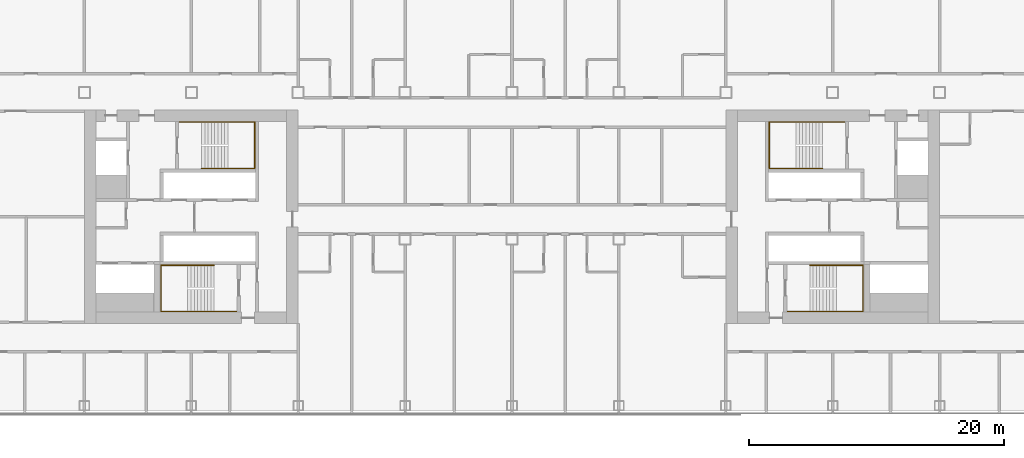
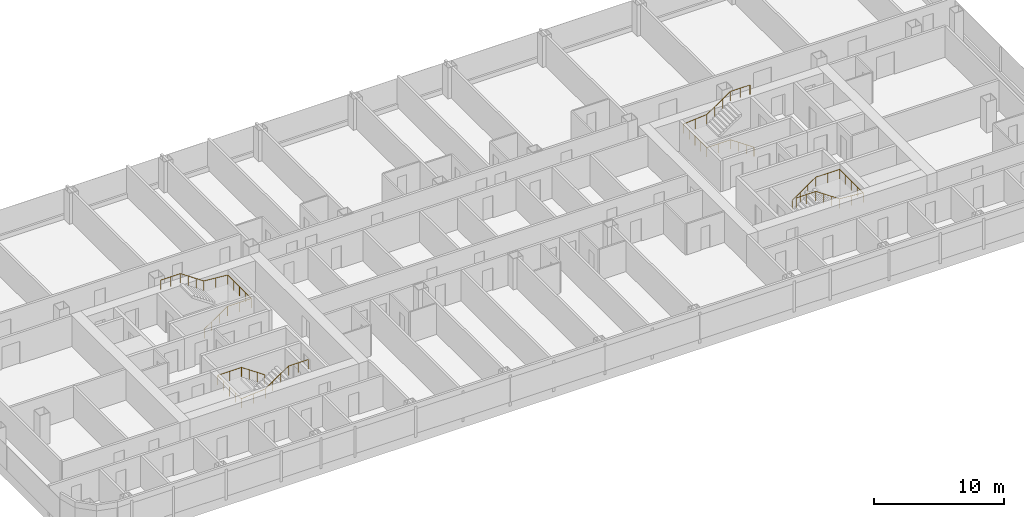
# One storey, part 29 of 29: 4 railings.
"""IFC4 building model written with IfcOpenShell, lengths in metres."""

import ifcopenshell
import ifcopenshell.guid

model = None  # the IFC model being written
_history = None  # IfcOwnerHistory: only IFC2X3 demands one
_inside = {}  # id of a spatial element -> (the spatial element, [elements in it])
_under = {}  # id of a project, library or spatial element -> (it, [spatial elements below it])
_declared = {}  # id of a project -> (the project, [libraries it declares])
_typed = {}  # id of a type object -> (the type object, [elements of that type])
_made_of = {}  # id of a material, layer set ... -> (it, [elements and type objects made of it])


def new_model(schema):
    """Start an empty IFC model of exactly this schema.

    Asked for "IFC4X3", IfcOpenShell would pick the latest addendum, in which some entities
    have other attributes; the version numbers below select the first issue.
    IFC2X3 requires an IfcOwnerHistory on every rooted entity: one is made here for all.
    """
    global model, _history
    if schema == "IFC4X3":
        model = ifcopenshell.file(schema_version=(4, 3, 0, 0))
    else:
        model = ifcopenshell.file(schema=schema)
    _inside.clear()
    _under.clear()
    _declared.clear()
    _typed.clear()
    _made_of.clear()
    _history = None
    if model.schema == "IFC2X3":
        org = make("IfcOrganization", Name="unknown")
        user = make(
            "IfcPersonAndOrganization",
            ThePerson=make("IfcPerson", FamilyName="unknown"),
            TheOrganization=org,
        )
        app = make(
            "IfcApplication",
            ApplicationDeveloper=org,
            Version="unknown",
            ApplicationFullName="unknown",
            ApplicationIdentifier="unknown",
        )
        _history = make(
            "IfcOwnerHistory",
            OwningUser=user,
            OwningApplication=app,
            ChangeAction="ADDED",
            CreationDate=0,
        )
    return model


def make(cls, **values):
    """One entity of the class cls with the attributes given. An attribute that is None is left unset."""
    return model.create_entity(
        cls, **{name: value for name, value in values.items() if value is not None}
    )


def rooted(cls, **values):
    """An entity with a GlobalId (a new one), such as an element, a storey or a relation."""
    return make(cls, GlobalId=ifcopenshell.guid.new(), OwnerHistory=_history, **values)


def si_unit(unit_type, name, prefix=None):
    """IfcSIUnit, for example si_unit("LENGTHUNIT", "METRE", prefix="MILLI")."""
    return make("IfcSIUnit", UnitType=unit_type, Prefix=prefix, Name=name)


def assignment(units):
    """IfcUnitAssignment: the units of a project."""
    return None if units is None else make("IfcUnitAssignment", Units=units)


def point(xyz):
    """IfcCartesianPoint."""
    return None if xyz is None else make("IfcCartesianPoint", Coordinates=xyz)


def direction(xyz):
    """IfcDirection."""
    return None if xyz is None else make("IfcDirection", DirectionRatios=xyz)


def frame(location, z_axis=None, x_axis=None):
    """IfcAxis2Placement3D, a coordinate frame: its origin and axes. An axis left out is left unset."""
    return make(
        "IfcAxis2Placement3D",
        Location=point(location),
        Axis=direction(z_axis),
        RefDirection=direction(x_axis),
    )


def frame_2d(location, x_axis=None):
    """IfcAxis2Placement2D, a coordinate frame in the plane: its origin and x axis."""
    return make(
        "IfcAxis2Placement2D", Location=point(location), RefDirection=direction(x_axis)
    )


def origin():
    """The frame at (0, 0, 0) with its axes left unset."""
    return frame((0.0, 0.0, 0.0))


def origin_2d():
    """The frame at (0, 0) in the plane with its x axis left unset."""
    return frame_2d((0.0, 0.0))


def place(relative_to, where):
    """IfcLocalPlacement: puts the frame where relative to a parent placement (None: the world)."""
    return make(
        "IfcLocalPlacement", PlacementRelTo=relative_to, RelativePlacement=where
    )


def context(
    kind, dimensions, precision=None, world=None, true_north=None, identifier=None
):
    """IfcGeometricRepresentationContext, for example the 3D "Model" context."""
    return make(
        "IfcGeometricRepresentationContext",
        ContextIdentifier=identifier,
        ContextType=kind,
        CoordinateSpaceDimension=dimensions,
        Precision=precision,
        WorldCoordinateSystem=world,
        TrueNorth=true_north,
    )


def subcontext(parent, identifier, kind, view, scale=None):
    """IfcGeometricRepresentationSubContext, for example "Body" below "Model"."""
    return make(
        "IfcGeometricRepresentationSubContext",
        ContextIdentifier=identifier,
        ContextType=kind,
        ParentContext=parent,
        TargetScale=scale,
        TargetView=view,
    )


def project(units=None, contexts=None):
    """IfcProject with its units and contexts."""
    return rooted(
        "IfcProject",
        Name="project",
        RepresentationContexts=contexts,
        UnitsInContext=assignment(units),
    )


def spatial(cls, under=None, at=None, **own):
    """A site, building, storey or space (cls), placed at a placement, below another one or the project."""
    s = rooted(cls, ObjectPlacement=at, **own)
    if under is not None:
        _under.setdefault(under.id(), (under, []))[1].append(s)
    return s


def profile(cls, at=None, kind="AREA", **sizes):
    """A parametric profile (cls). Its sizes go by their IFC names, for example OverallWidth=200.0."""
    return make(cls, ProfileType=kind, Position=at, **sizes)


def circle(**sizes):
    """IfcCircleProfileDef."""
    return profile("IfcCircleProfileDef", **sizes)


def extrude(swept, where, along, depth):
    """IfcExtrudedAreaSolid: the profile swept, set in the frame where, extruded along a direction by depth."""
    return make(
        "IfcExtrudedAreaSolid",
        SweptArea=swept,
        Position=where,
        ExtrudedDirection=direction(along),
        Depth=depth,
    )


def shape(context_of_items, identifier, shape_type, items):
    """IfcShapeRepresentation: the items that make up one representation, for example the "Body"."""
    return make(
        "IfcShapeRepresentation",
        ContextOfItems=context_of_items,
        RepresentationIdentifier=identifier,
        RepresentationType=shape_type,
        Items=items,
    )


def material(Name=None, Category=None):
    """IfcMaterial."""
    return make("IfcMaterial", Name=Name, Category=Category)


def made_of(thing, what):
    """Note that an element or type object is made of a material, layer set ...; save() writes the relation."""
    if what is not None:
        _made_of.setdefault(what.id(), (what, []))[1].append(thing)
    return thing


def type_object(cls, material=None, **own):
    """A type object (cls), such as IfcWallType, which elements share."""
    return made_of(rooted(cls, **own), material)


def element(
    cls,
    number,
    at=None,
    inside=None,
    cuts=None,
    type_object=None,
    material=None,
    context=None,
    identifier="Body",
    shape_type=None,
    held_by="IfcProductDefinitionShape",
    body=None,
    shapes=None,
    **own,
):
    """One element of the class cls, such as IfcWall. Its Tag is "e" and its number.

    at: its placement. inside: the storey or other place that contains it. cuts: it is an
    opening in that element (IfcRelVoidsElement). A single representation is given by context,
    identifier, shape_type and body (its items); several are given by shapes. held_by: the class
    of the entity that holds the representations. save() writes the other relations.
    """
    e = rooted(cls, Tag="e%d" % number, ObjectPlacement=at, **own)
    if body is not None:
        shapes = [shape(context, identifier, shape_type, body)]
    if shapes is not None:
        e.Representation = make(held_by, Representations=shapes)
    if inside is not None:
        _inside.setdefault(inside.id(), (inside, []))[1].append(e)
    if cuts is not None:
        rooted(
            "IfcRelVoidsElement", RelatingBuildingElement=cuts, RelatedOpeningElement=e
        )
    if type_object is not None:
        _typed.setdefault(type_object.id(), (type_object, []))[1].append(e)
    return made_of(e, material)


def aggregate(whole, parts):
    """IfcRelAggregates: a whole, such as a stair, and the parts it consists of."""
    return rooted("IfcRelAggregates", RelatingObject=whole, RelatedObjects=parts)


def save(model, path):
    """Write the relations noted so far, then the file.

    IfcRelAggregates (storeys below a building ...), IfcRelContainedInSpatialStructure (elements
    in a storey), IfcRelDefinesByType, IfcRelAssociatesMaterial and IfcRelDeclares: one each for
    every whole, place, type object, material and project.
    """
    for whole, parts in _under.values():
        aggregate(whole, parts)
    for where, things in _inside.values():
        rooted(
            "IfcRelContainedInSpatialStructure",
            RelatedElements=things,
            RelatingStructure=where,
        )
    for kind, things in _typed.values():
        rooted("IfcRelDefinesByType", RelatedObjects=things, RelatingType=kind)
    for what, things in _made_of.values():
        rooted("IfcRelAssociatesMaterial", RelatedObjects=things, RelatingMaterial=what)
    for by, libraries in _declared.values():
        rooted("IfcRelDeclares", RelatingContext=by, RelatedDefinitions=libraries)
    model.write(path)


model = new_model("IFC4")

# Units and contexts
model_context = context("Model", 3, precision=1e-05, world=origin(), true_north=direction((0.0, 1.0)))
body_context = subcontext(model_context, "Body", "Model", "MODEL_VIEW")
ifc_project = project(units=[si_unit("LENGTHUNIT", "METRE"), si_unit("AREAUNIT", "SQUARE_METRE"), si_unit("VOLUMEUNIT", "CUBIC_METRE"), si_unit("PLANEANGLEUNIT", "RADIAN"), si_unit("MASSUNIT", "GRAM", prefix="KILO")], contexts=[model_context])

# Site, building, storey
site_placement = place(None, origin())
site = spatial("IfcSite", under=ifc_project, at=site_placement, CompositionType="ELEMENT")
building_placement = place(site_placement, origin())
building = spatial("IfcBuilding", under=site, at=building_placement, Name="Hakoniwa Tower and Hamabe Station Hall", CompositionType="ELEMENT")
storey_placement = place(building_placement, frame((0.0, 0.0, 117.0)))
storey = spatial("IfcBuildingStorey", under=building, at=storey_placement, Name="L33", CompositionType="ELEMENT", Elevation=117.0)

# Railings
ifc_material = material(Name="Stainless steel SUS304", Category="steel")
railing_type = type_object("IfcRailingType", Name="STAIR HANDRAIL 900", PredefinedType="HANDRAIL", material=ifc_material)
railing_1_placement = place(storey_placement, frame((-24.39990234375, 3.81005859375, 0.177734375)))
element("IfcRailing", 1, at=railing_1_placement, inside=storey, type_object=railing_type, Name="Handrail ST-1 L33 1", PredefinedType="HANDRAIL", context=body_context, shape_type="SweptSolid", body=[
    extrude(circle(Radius=0.02392578125, at=origin_2d()), frame((0.0, 0.0, 0.8759765625), z_axis=(0.825433201882, 0.0, 0.564499804456), x_axis=(0.0, 1.0, 0.0)), (0.0, 0.0, 1.0), 2.519775390625),
    extrude(circle(Radius=0.02392578125, at=origin_2d()), frame((2.079833984375, 0.0, 2.29833984375), z_axis=(1.0, 0.0, 0.0), x_axis=(0.0, 1.0, 0.0)), (0.0, 0.0, 1.0), 2.110107421875),
    extrude(circle(Radius=0.02392578125, at=origin_2d()), frame((4.18994140625, 0.0, 2.29833984375), z_axis=(0.0, 1.0, 0.0), x_axis=(-1.0, 0.0, 0.0)), (0.0, 0.0, 1.0), 3.6298828125),
    extrude(circle(Radius=0.02392578125, at=origin_2d()), frame((4.18994140625, 3.6298828125, 2.29833984375), z_axis=(-0.996471417081, 0.0, 0.083932800143), x_axis=(0.0, -1.0, 0.0)), (0.0, 0.0, 1.0), 2.11767578125),
    extrude(circle(Radius=0.02392578125, at=origin_2d()), frame((2.079833984375, 3.6298828125, 2.47607421875), z_axis=(-0.825478349766, 0.0, 0.564433781827), x_axis=(0.0, -1.0, 0.0)), (0.0, 0.0, 1.0), 2.51953125),
    extrude(circle(Radius=0.02392578125, at=origin_2d()), frame((0.0, 3.6298828125, 3.89794921875), z_axis=(-1.0, 0.0, 0.0), x_axis=(0.0, -1.0, 0.0)), (0.0, 0.0, 1.0), 1.739990234375),
    extrude(circle(Radius=0.02099609375, at=origin_2d()), origin(), (0.0, 0.0, 1.0), 0.851806640625),
    extrude(circle(Radius=0.02099609375, at=origin_2d()), frame((0.693359375, 0.0, 0.47412109375)), (0.0, 0.0, 1.0), 0.851806640625),
    extrude(circle(Radius=0.02099609375, at=origin_2d()), frame((1.386474609375, 0.0, 0.9482421875)), (0.0, 0.0, 1.0), 0.851806640625),
    extrude(circle(Radius=0.02099609375, at=origin_2d()), frame((2.079833984375, 0.0, 1.42236328125)), (0.0, 0.0, 1.0), 0.851806640625),
    extrude(circle(Radius=0.02099609375, at=origin_2d()), frame((3.134765625, 0.0, 1.42236328125)), (0.0, 0.0, 1.0), 0.851806640625),
    extrude(circle(Radius=0.02099609375, at=origin_2d()), frame((4.18994140625, 0.0, 1.42236328125)), (0.0, 0.0, 1.0), 0.851806640625),
    extrude(circle(Radius=0.02099609375, at=origin_2d()), frame((4.18994140625, 0.907470703125, 1.42236328125)), (0.0, 0.0, 1.0), 0.851806640625),
    extrude(circle(Radius=0.02099609375, at=origin_2d()), frame((4.18994140625, 1.81494140625, 1.42236328125)), (0.0, 0.0, 1.0), 0.851806640625),
    extrude(circle(Radius=0.02099609375, at=origin_2d()), frame((4.18994140625, 2.722412109375, 1.42236328125)), (0.0, 0.0, 1.0), 0.851806640625),
    extrude(circle(Radius=0.02099609375, at=origin_2d()), frame((4.18994140625, 3.6298828125, 1.42236328125)), (0.0, 0.0, 1.0), 0.851806640625),
    extrude(circle(Radius=0.02099609375, at=origin_2d()), frame((3.134765625, 3.6298828125, 1.51123046875)), (0.0, 0.0, 1.0), 0.851806640625),
    extrude(circle(Radius=0.02099609375, at=origin_2d()), frame((2.079833984375, 3.6298828125, 1.60009765625)), (0.0, 0.0, 1.0), 0.851806640625),
    extrude(circle(Radius=0.02099609375, at=origin_2d()), frame((1.386474609375, 3.6298828125, 2.07421875)), (0.0, 0.0, 1.0), 0.851806640625),
    extrude(circle(Radius=0.02099609375, at=origin_2d()), frame((0.693359375, 3.6298828125, 2.548095703125)), (0.0, 0.0, 1.0), 0.851806640625),
    extrude(circle(Radius=0.02099609375, at=origin_2d()), frame((0.0, 3.6298828125, 3.022216796875)), (0.0, 0.0, 1.0), 0.851806640625),
    extrude(circle(Radius=0.02099609375, at=origin_2d()), frame((-0.8701171875, 3.6298828125, 3.022216796875)), (0.0, 0.0, 1.0), 0.851806640625),
    extrude(circle(Radius=0.02099609375, at=origin_2d()), frame((-1.739990234375, 3.6298828125, 3.022216796875)), (0.0, 0.0, 1.0), 0.851806640625),
])
railing_2_placement = place(storey_placement, frame((-23.39990234375, -3.81005859375, 0.177734375)))
element("IfcRailing", 2, at=railing_2_placement, inside=storey, type_object=railing_type, Name="Handrail ST-2 L33 1", PredefinedType="HANDRAIL", context=body_context, shape_type="SweptSolid", body=[
    extrude(circle(Radius=0.02392578125, at=origin_2d()), frame((0.0, 0.0, 0.8759765625), z_axis=(-0.825464074169, 0.0, 0.564454659168), x_axis=(0.0, -1.0, 0.0)), (0.0, 0.0, 1.0), 2.519775390625),
    extrude(circle(Radius=0.02392578125, at=origin_2d()), frame((-2.080078125, 0.0, 2.29833984375), z_axis=(-1.0, 0.0, 0.0), x_axis=(0.0, -1.0, 0.0)), (0.0, 0.0, 1.0), 2.110107421875),
    extrude(circle(Radius=0.02392578125, at=origin_2d()), frame((-4.190185546875, 0.0, 2.29833984375), z_axis=(0.0, -1.0, 0.0), x_axis=(1.0, 0.0, 0.0)), (0.0, 0.0, 1.0), 3.6298828125),
    extrude(circle(Radius=0.02392578125, at=origin_2d()), frame((-4.190185546875, -3.6298828125, 2.29833984375), z_axis=(0.996471417081, 0.0, 0.083932800143), x_axis=(0.0, 1.0, 0.0)), (0.0, 0.0, 1.0), 2.11767578125),
    extrude(circle(Radius=0.02392578125, at=origin_2d()), frame((-2.080078125, -3.6298828125, 2.47607421875), z_axis=(0.82550921652, 0.0, 0.564388636881), x_axis=(0.0, 1.0, 0.0)), (0.0, 0.0, 1.0), 2.519775390625),
    extrude(circle(Radius=0.02392578125, at=origin_2d()), frame((0.0, -3.6298828125, 3.89794921875), z_axis=(1.0, 0.0, 0.0), x_axis=(0.0, 1.0, 0.0)), (0.0, 0.0, 1.0), 1.739990234375),
    extrude(circle(Radius=0.02099609375, at=origin_2d()), origin(), (0.0, 0.0, 1.0), 0.851806640625),
    extrude(circle(Radius=0.02099609375, at=origin_2d()), frame((-0.693359375, 0.0, 0.47412109375)), (0.0, 0.0, 1.0), 0.851806640625),
    extrude(circle(Radius=0.02099609375, at=origin_2d()), frame((-1.38671875, 0.0, 0.9482421875)), (0.0, 0.0, 1.0), 0.851806640625),
    extrude(circle(Radius=0.02099609375, at=origin_2d()), frame((-2.080078125, 0.0, 1.42236328125)), (0.0, 0.0, 1.0), 0.851806640625),
    extrude(circle(Radius=0.02099609375, at=origin_2d()), frame((-3.13525390625, 0.0, 1.42236328125)), (0.0, 0.0, 1.0), 0.851806640625),
    extrude(circle(Radius=0.02099609375, at=origin_2d()), frame((-4.190185546875, 0.0, 1.42236328125)), (0.0, 0.0, 1.0), 0.851806640625),
    extrude(circle(Radius=0.02099609375, at=origin_2d()), frame((-4.190185546875, -0.907470703125, 1.42236328125)), (0.0, 0.0, 1.0), 0.851806640625),
    extrude(circle(Radius=0.02099609375, at=origin_2d()), frame((-4.190185546875, -1.81494140625, 1.42236328125)), (0.0, 0.0, 1.0), 0.851806640625),
    extrude(circle(Radius=0.02099609375, at=origin_2d()), frame((-4.190185546875, -2.722412109375, 1.42236328125)), (0.0, 0.0, 1.0), 0.851806640625),
    extrude(circle(Radius=0.02099609375, at=origin_2d()), frame((-4.190185546875, -3.6298828125, 1.42236328125)), (0.0, 0.0, 1.0), 0.851806640625),
    extrude(circle(Radius=0.02099609375, at=origin_2d()), frame((-3.13525390625, -3.6298828125, 1.51123046875)), (0.0, 0.0, 1.0), 0.851806640625),
    extrude(circle(Radius=0.02099609375, at=origin_2d()), frame((-2.080078125, -3.6298828125, 1.60009765625)), (0.0, 0.0, 1.0), 0.851806640625),
    extrude(circle(Radius=0.02099609375, at=origin_2d()), frame((-1.38671875, -3.6298828125, 2.07421875)), (0.0, 0.0, 1.0), 0.851806640625),
    extrude(circle(Radius=0.02099609375, at=origin_2d()), frame((-0.693359375, -3.6298828125, 2.548095703125)), (0.0, 0.0, 1.0), 0.851806640625),
    extrude(circle(Radius=0.02099609375, at=origin_2d()), frame((0.0, -3.6298828125, 3.022216796875)), (0.0, 0.0, 1.0), 0.851806640625),
    extrude(circle(Radius=0.02099609375, at=origin_2d()), frame((0.8701171875, -3.6298828125, 3.022216796875)), (0.0, 0.0, 1.0), 0.851806640625),
    extrude(circle(Radius=0.02099609375, at=origin_2d()), frame((1.739990234375, -3.6298828125, 3.022216796875)), (0.0, 0.0, 1.0), 0.851806640625),
])
railing_3_placement = place(storey_placement, frame((24.39990234375, 3.81005859375, 0.177734375)))
element("IfcRailing", 3, at=railing_3_placement, inside=storey, type_object=railing_type, Name="Handrail ST-3 L33 1", PredefinedType="HANDRAIL", context=body_context, shape_type="SweptSolid", body=[
    extrude(circle(Radius=0.02392578125, at=origin_2d()), frame((0.0, 0.0, 0.8759765625), z_axis=(-0.825433201882, 0.0, 0.564499804456), x_axis=(0.0, -1.0, 0.0)), (0.0, 0.0, 1.0), 2.519775390625),
    extrude(circle(Radius=0.02392578125, at=origin_2d()), frame((-2.079833984375, 0.0, 2.29833984375), z_axis=(-1.0, 0.0, 0.0), x_axis=(0.0, -1.0, 0.0)), (0.0, 0.0, 1.0), 2.110107421875),
    extrude(circle(Radius=0.02392578125, at=origin_2d()), frame((-4.18994140625, 0.0, 2.29833984375), z_axis=(0.0, 1.0, 0.0), x_axis=(-1.0, 0.0, 0.0)), (0.0, 0.0, 1.0), 3.6298828125),
    extrude(circle(Radius=0.02392578125, at=origin_2d()), frame((-4.18994140625, 3.6298828125, 2.29833984375), z_axis=(0.996471417081, 0.0, 0.083932800143), x_axis=(0.0, 1.0, 0.0)), (0.0, 0.0, 1.0), 2.11767578125),
    extrude(circle(Radius=0.02392578125, at=origin_2d()), frame((-2.079833984375, 3.6298828125, 2.47607421875), z_axis=(0.825478349766, 0.0, 0.564433781827), x_axis=(0.0, 1.0, 0.0)), (0.0, 0.0, 1.0), 2.51953125),
    extrude(circle(Radius=0.02392578125, at=origin_2d()), frame((0.0, 3.6298828125, 3.89794921875), z_axis=(1.0, 0.0, 0.0), x_axis=(0.0, 1.0, 0.0)), (0.0, 0.0, 1.0), 1.739990234375),
    extrude(circle(Radius=0.02099609375, at=origin_2d()), origin(), (0.0, 0.0, 1.0), 0.851806640625),
    extrude(circle(Radius=0.02099609375, at=origin_2d()), frame((-0.693359375, 0.0, 0.47412109375)), (0.0, 0.0, 1.0), 0.851806640625),
    extrude(circle(Radius=0.02099609375, at=origin_2d()), frame((-1.386474609375, 0.0, 0.9482421875)), (0.0, 0.0, 1.0), 0.851806640625),
    extrude(circle(Radius=0.02099609375, at=origin_2d()), frame((-2.079833984375, 0.0, 1.42236328125)), (0.0, 0.0, 1.0), 0.851806640625),
    extrude(circle(Radius=0.02099609375, at=origin_2d()), frame((-3.134765625, 0.0, 1.42236328125)), (0.0, 0.0, 1.0), 0.851806640625),
    extrude(circle(Radius=0.02099609375, at=origin_2d()), frame((-4.18994140625, 0.0, 1.42236328125)), (0.0, 0.0, 1.0), 0.851806640625),
    extrude(circle(Radius=0.02099609375, at=origin_2d()), frame((-4.18994140625, 0.907470703125, 1.42236328125)), (0.0, 0.0, 1.0), 0.851806640625),
    extrude(circle(Radius=0.02099609375, at=origin_2d()), frame((-4.18994140625, 1.81494140625, 1.42236328125)), (0.0, 0.0, 1.0), 0.851806640625),
    extrude(circle(Radius=0.02099609375, at=origin_2d()), frame((-4.18994140625, 2.722412109375, 1.42236328125)), (0.0, 0.0, 1.0), 0.851806640625),
    extrude(circle(Radius=0.02099609375, at=origin_2d()), frame((-4.18994140625, 3.6298828125, 1.42236328125)), (0.0, 0.0, 1.0), 0.851806640625),
    extrude(circle(Radius=0.02099609375, at=origin_2d()), frame((-3.134765625, 3.6298828125, 1.51123046875)), (0.0, 0.0, 1.0), 0.851806640625),
    extrude(circle(Radius=0.02099609375, at=origin_2d()), frame((-2.079833984375, 3.6298828125, 1.60009765625)), (0.0, 0.0, 1.0), 0.851806640625),
    extrude(circle(Radius=0.02099609375, at=origin_2d()), frame((-1.386474609375, 3.6298828125, 2.07421875)), (0.0, 0.0, 1.0), 0.851806640625),
    extrude(circle(Radius=0.02099609375, at=origin_2d()), frame((-0.693359375, 3.6298828125, 2.548095703125)), (0.0, 0.0, 1.0), 0.851806640625),
    extrude(circle(Radius=0.02099609375, at=origin_2d()), frame((0.0, 3.6298828125, 3.022216796875)), (0.0, 0.0, 1.0), 0.851806640625),
    extrude(circle(Radius=0.02099609375, at=origin_2d()), frame((0.8701171875, 3.6298828125, 3.022216796875)), (0.0, 0.0, 1.0), 0.851806640625),
    extrude(circle(Radius=0.02099609375, at=origin_2d()), frame((1.739990234375, 3.6298828125, 3.022216796875)), (0.0, 0.0, 1.0), 0.851806640625),
])
railing_4_placement = place(storey_placement, frame((23.39990234375, -3.81005859375, 0.177734375)))
element("IfcRailing", 4, at=railing_4_placement, inside=storey, type_object=railing_type, Name="Handrail ST-4 L33 1", PredefinedType="HANDRAIL", context=body_context, shape_type="SweptSolid", body=[
    extrude(circle(Radius=0.02392578125, at=origin_2d()), frame((0.0, 0.0, 0.8759765625), z_axis=(0.825464074169, 0.0, 0.564454659168), x_axis=(0.0, 1.0, 0.0)), (0.0, 0.0, 1.0), 2.519775390625),
    extrude(circle(Radius=0.02392578125, at=origin_2d()), frame((2.080078125, 0.0, 2.29833984375), z_axis=(1.0, 0.0, 0.0), x_axis=(0.0, 1.0, 0.0)), (0.0, 0.0, 1.0), 2.110107421875),
    extrude(circle(Radius=0.02392578125, at=origin_2d()), frame((4.190185546875, 0.0, 2.29833984375), z_axis=(0.0, -1.0, 0.0), x_axis=(1.0, 0.0, 0.0)), (0.0, 0.0, 1.0), 3.6298828125),
    extrude(circle(Radius=0.02392578125, at=origin_2d()), frame((4.190185546875, -3.6298828125, 2.29833984375), z_axis=(-0.996471417081, 0.0, 0.083932800143), x_axis=(0.0, -1.0, 0.0)), (0.0, 0.0, 1.0), 2.11767578125),
    extrude(circle(Radius=0.02392578125, at=origin_2d()), frame((2.080078125, -3.6298828125, 2.47607421875), z_axis=(-0.82550921652, 0.0, 0.564388636881), x_axis=(0.0, -1.0, 0.0)), (0.0, 0.0, 1.0), 2.519775390625),
    extrude(circle(Radius=0.02392578125, at=origin_2d()), frame((0.0, -3.6298828125, 3.89794921875), z_axis=(-1.0, 0.0, 0.0), x_axis=(0.0, -1.0, 0.0)), (0.0, 0.0, 1.0), 1.739990234375),
    extrude(circle(Radius=0.02099609375, at=origin_2d()), origin(), (0.0, 0.0, 1.0), 0.851806640625),
    extrude(circle(Radius=0.02099609375, at=origin_2d()), frame((0.693359375, 0.0, 0.47412109375)), (0.0, 0.0, 1.0), 0.851806640625),
    extrude(circle(Radius=0.02099609375, at=origin_2d()), frame((1.38671875, 0.0, 0.9482421875)), (0.0, 0.0, 1.0), 0.851806640625),
    extrude(circle(Radius=0.02099609375, at=origin_2d()), frame((2.080078125, 0.0, 1.42236328125)), (0.0, 0.0, 1.0), 0.851806640625),
    extrude(circle(Radius=0.02099609375, at=origin_2d()), frame((3.13525390625, 0.0, 1.42236328125)), (0.0, 0.0, 1.0), 0.851806640625),
    extrude(circle(Radius=0.02099609375, at=origin_2d()), frame((4.190185546875, 0.0, 1.42236328125)), (0.0, 0.0, 1.0), 0.851806640625),
    extrude(circle(Radius=0.02099609375, at=origin_2d()), frame((4.190185546875, -0.907470703125, 1.42236328125)), (0.0, 0.0, 1.0), 0.851806640625),
    extrude(circle(Radius=0.02099609375, at=origin_2d()), frame((4.190185546875, -1.81494140625, 1.42236328125)), (0.0, 0.0, 1.0), 0.851806640625),
    extrude(circle(Radius=0.02099609375, at=origin_2d()), frame((4.190185546875, -2.722412109375, 1.42236328125)), (0.0, 0.0, 1.0), 0.851806640625),
    extrude(circle(Radius=0.02099609375, at=origin_2d()), frame((4.190185546875, -3.6298828125, 1.42236328125)), (0.0, 0.0, 1.0), 0.851806640625),
    extrude(circle(Radius=0.02099609375, at=origin_2d()), frame((3.13525390625, -3.6298828125, 1.51123046875)), (0.0, 0.0, 1.0), 0.851806640625),
    extrude(circle(Radius=0.02099609375, at=origin_2d()), frame((2.080078125, -3.6298828125, 1.60009765625)), (0.0, 0.0, 1.0), 0.851806640625),
    extrude(circle(Radius=0.02099609375, at=origin_2d()), frame((1.38671875, -3.6298828125, 2.07421875)), (0.0, 0.0, 1.0), 0.851806640625),
    extrude(circle(Radius=0.02099609375, at=origin_2d()), frame((0.693359375, -3.6298828125, 2.548095703125)), (0.0, 0.0, 1.0), 0.851806640625),
    extrude(circle(Radius=0.02099609375, at=origin_2d()), frame((0.0, -3.6298828125, 3.022216796875)), (0.0, 0.0, 1.0), 0.851806640625),
    extrude(circle(Radius=0.02099609375, at=origin_2d()), frame((-0.8701171875, -3.6298828125, 3.022216796875)), (0.0, 0.0, 1.0), 0.851806640625),
    extrude(circle(Radius=0.02099609375, at=origin_2d()), frame((-1.739990234375, -3.6298828125, 3.022216796875)), (0.0, 0.0, 1.0), 0.851806640625),
])

save(model, "model.ifc")
